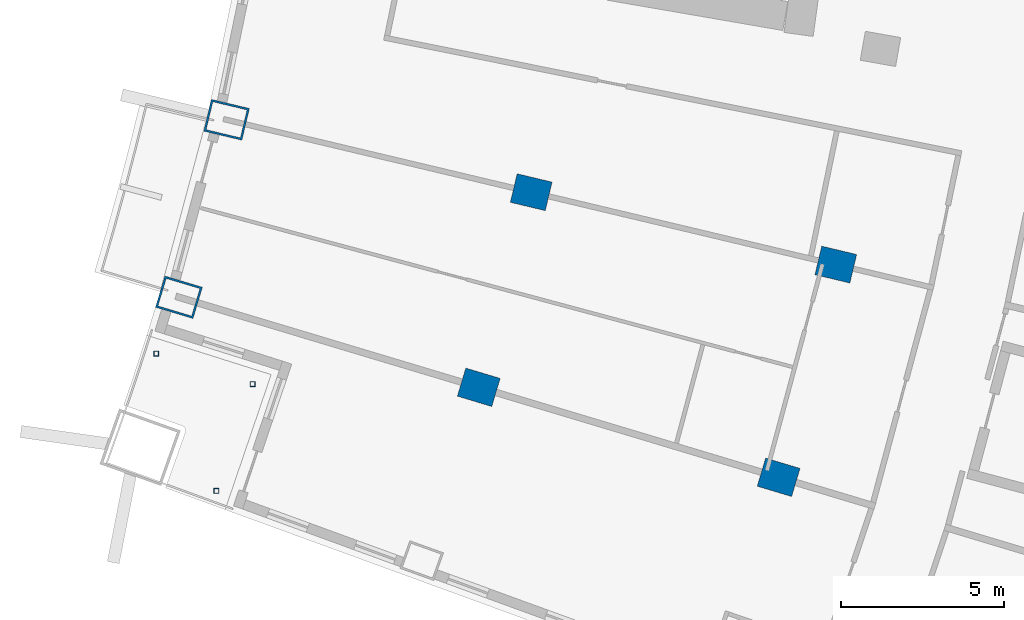
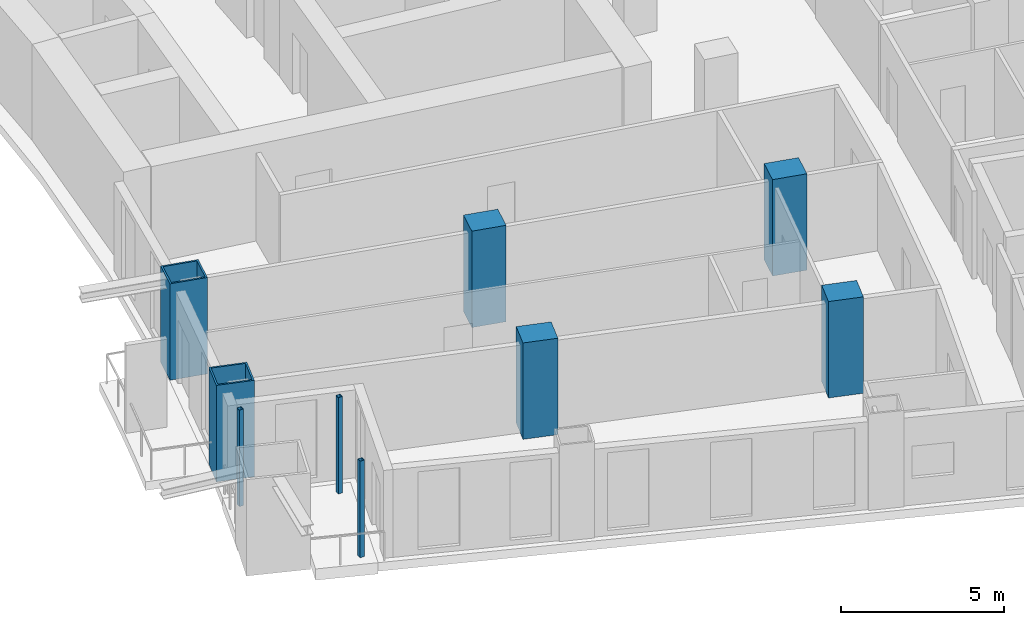
# One storey, part 2 of 23: 9 columns.
"""IFC4 building model written with IfcOpenShell, lengths in metres."""

from ifc_helpers import new_model, si_unit, direction, frame, origin, origin_2d, place, context, subcontext, project, spatial, rectangle, hollow_rectangle, extrude, material, material_profile, profile_set, type_object, element, save


model = new_model("IFC4")

# Units and contexts
model_context = context("Model", 3, precision=1e-05, world=origin(), true_north=direction((0.0, 1.0)))
body_context = subcontext(model_context, "Body", "Model", "MODEL_VIEW")
ifc_project = project(units=[si_unit("LENGTHUNIT", "METRE"), si_unit("AREAUNIT", "SQUARE_METRE"), si_unit("VOLUMEUNIT", "CUBIC_METRE"), si_unit("PLANEANGLEUNIT", "RADIAN"), si_unit("MASSUNIT", "GRAM", prefix="KILO")], contexts=[model_context])

# Site, building, storey
site_placement = place(None, origin())
site = spatial("IfcSite", under=ifc_project, at=site_placement, CompositionType="ELEMENT")
building_placement = place(site_placement, origin())
building = spatial("IfcBuilding", under=site, at=building_placement, Name="Alderwake Tower", CompositionType="ELEMENT")
storey_placement = place(building_placement, frame((0.0, 0.0, 71.60009765625)))
storey = spatial("IfcBuildingStorey", under=building, at=storey_placement, Name="L17", CompositionType="ELEMENT", Elevation=71.60009765625)

# Columns
ifc_material_1 = material(Name="Concrete C70/85", Category="concrete")
ifc_material_profile_1 = material_profile(ifc_material_1, rectangle(XDim=0.89990234375, YDim=1.10009765625, at=origin_2d()), Name="RC 1100X900")
ifc_profile_set_1 = profile_set([ifc_material_profile_1], Name="Concrete C70/85")
column_type_1 = type_object("IfcColumnType", Name="Interior column Z1", PredefinedType="COLUMN", material=ifc_profile_set_1)
for number, where, z_axis, x_axis, name in (
    (1, (21.714599609375, 30.46240234375, 0.0), (0.0, 0.0, 1.0), (0.287549418125, 0.957765802342, 0.0), "Column R02-C1"),
    (2, (30.9091796875, 27.701904296875, 0.0), (0.0, 0.0, 1.0), (0.287549418125, 0.957765802342, 0.0), "Column R02-C2"),
    (3, (23.322021484375, 36.444091796875, 0.0), (0.0, 0.0, 1.0), (0.231221547198, 0.972901123502, 0.0), "Column R03-C1"),
    (4, (32.661865234375, 34.224609375, 0.0), (0.0, 0.0, 1.0), (0.231221547198, 0.972901123502, 0.0), "Column R03-C2"),
):
    element("IfcColumn", number, at=place(storey_placement, frame(where, z_axis=z_axis, x_axis=x_axis)), inside=storey, type_object=column_type_1, Name=name, PredefinedType="COLUMN", context=body_context, shape_type="SweptSolid", body=[
        extrude(rectangle(XDim=0.89990234375, YDim=1.10009765625, at=origin_2d()), origin(), (0.0, 0.0, 1.0), 3.599853515625),
    ])
ifc_material_2 = material(Name="Steel ASTM A500 Grade C", Category="steel")
ifc_material_profile_2 = material_profile(ifc_material_2, hollow_rectangle(XDim=0.15234375, YDim=0.15234375, WallThickness=0.0087890625, at=origin_2d()), Name="HSS6X6X3/8")
ifc_profile_set_2 = profile_set([ifc_material_profile_2], Name="Steel ASTM A500 Grade C")
column_type_2 = type_object("IfcColumnType", Name="Light post HSS6X6X3/8", PredefinedType="COLUMN", material=ifc_profile_set_2)
for number, where, z_axis, x_axis, name in (
    (5, (11.82568359375, 31.492919921875, 0.0), (0.0, 0.0, 1.0), (1.0, 0.0, 0.0), "Terrace post RS1"),
    (6, (13.66796875, 27.28759765625, 0.0), (0.0, 0.0, 1.0), (1.0, 0.0, 0.0), "Terrace post RS2"),
    (7, (14.781494140625, 30.558349609375, 0.0), (0.0, 0.0, 1.0), (1.0, 0.0, 0.0), "Terrace post RS3"),
):
    element("IfcColumn", number, at=place(storey_placement, frame(where, z_axis=z_axis, x_axis=x_axis)), inside=storey, type_object=column_type_2, Name=name, PredefinedType="COLUMN", context=body_context, shape_type="SweptSolid", body=[
        extrude(hollow_rectangle(XDim=0.15234375, YDim=0.15234375, WallThickness=0.0087890625, at=origin_2d()), origin(), (0.0, 0.0, 1.0), 3.599853515625),
    ])
ifc_material_3 = material(Name="Steel ASTM A572 Grade 50 concrete filled C70/85", Category="concrete")
ifc_material_profile_3 = material_profile(ifc_material_3, hollow_rectangle(XDim=1.0, YDim=1.199951171875, WallThickness=0.06005859375, at=origin_2d()), Name="BOX 1200X1000X60")
ifc_profile_set_3 = profile_set([ifc_material_profile_3], Name="Steel ASTM A572 Grade 50 concrete filled C70/85")
column_type_3 = type_object("IfcColumnType", Name="Perimeter column Z1", PredefinedType="COLUMN", material=ifc_profile_set_3)
for number, where, z_axis, x_axis, name in (
    (8, (12.520263671875, 33.222900390625, 0.0), (0.0, 0.0, 1.0), (0.287549418125, 0.957765802342, 0.0), "Column R02-C0"),
    (9, (13.982177734375, 38.6640625, 0.0), (0.0, 0.0, 1.0), (0.231221547198, 0.972901123502, 0.0), "Column R03-C0"),
):
    element("IfcColumn", number, at=place(storey_placement, frame(where, z_axis=z_axis, x_axis=x_axis)), inside=storey, type_object=column_type_3, Name=name, PredefinedType="COLUMN", context=body_context, shape_type="SweptSolid", body=[
        extrude(hollow_rectangle(XDim=1.0, YDim=1.199951171875, WallThickness=0.06005859375, at=origin_2d()), origin(), (0.0, 0.0, 1.0), 3.599853515625),
    ])

save(model, "model.ifc")
